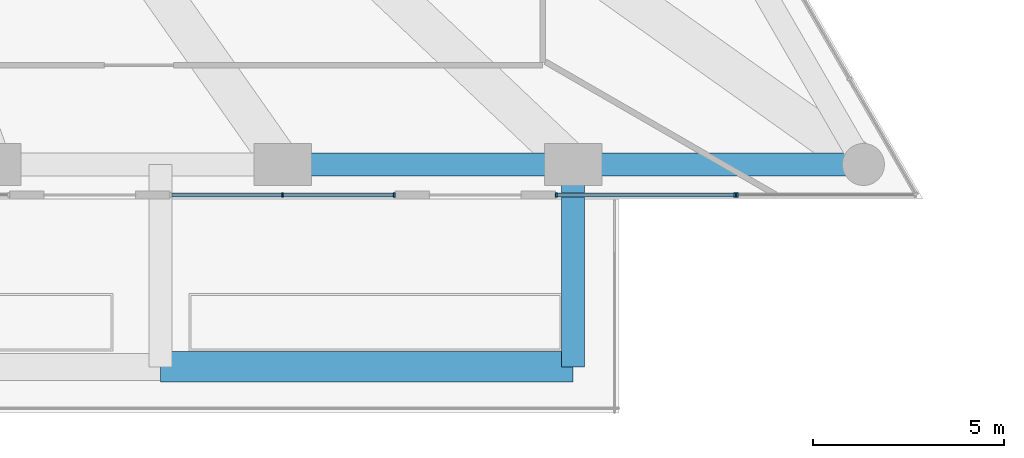
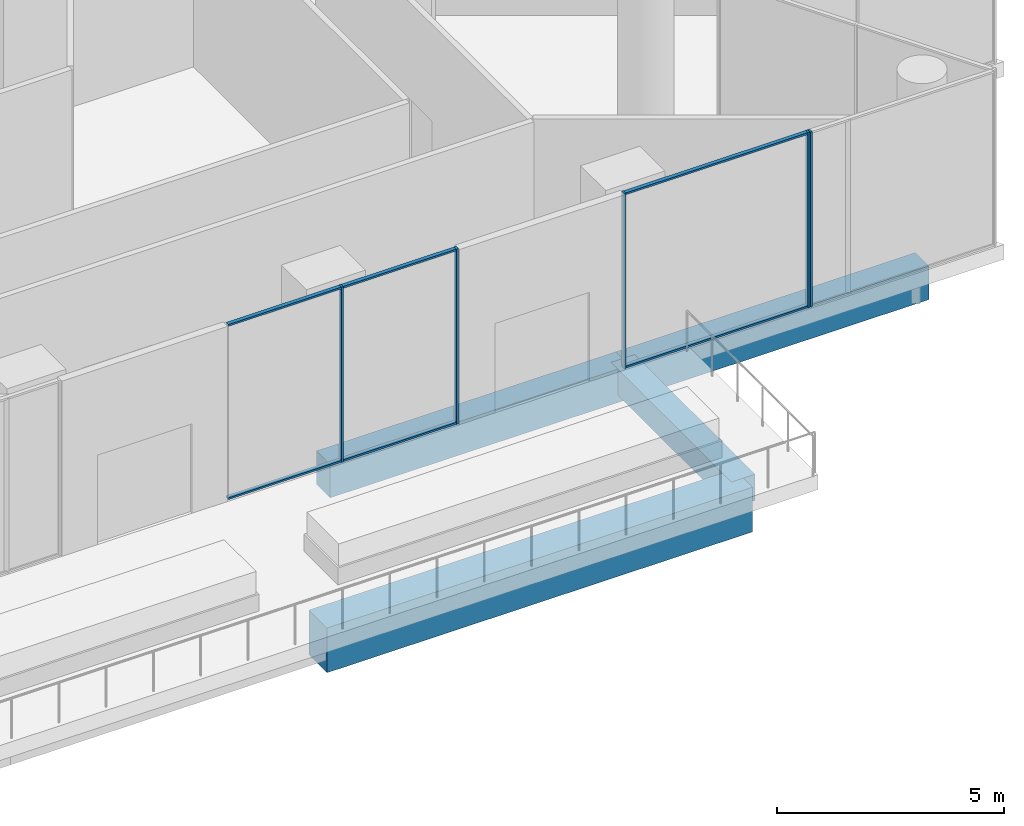
# One storey, part 9 of 28: 11 members, 4 beams, 3 elements without a shape of their own.
"""IFC4 building model written with IfcOpenShell, lengths in metres."""

from ifc_helpers import new_model, si_unit, direction, frame, origin, origin_2d, place, context, subcontext, project, spatial, rectangle, extrude, material, layer, layer_set, material_profile, profile_set, type_object, element, aggregate, save


model = new_model("IFC4")

# Units and contexts
model_context = context("Model", 3, precision=1e-05, world=origin(), true_north=direction((0.0, 1.0)))
body_context = subcontext(model_context, "Body", "Model", "MODEL_VIEW")
ifc_project = project(units=[si_unit("LENGTHUNIT", "METRE"), si_unit("AREAUNIT", "SQUARE_METRE"), si_unit("VOLUMEUNIT", "CUBIC_METRE"), si_unit("PLANEANGLEUNIT", "RADIAN"), si_unit("MASSUNIT", "GRAM", prefix="KILO")], contexts=[model_context])

# Site, building, storey
site_placement = place(None, origin())
site = spatial("IfcSite", under=ifc_project, at=site_placement, CompositionType="ELEMENT")
building_placement = place(site_placement, origin())
building = spatial("IfcBuilding", under=site, at=building_placement, Name="Triada Interchange Tower", CompositionType="ELEMENT")
storey_placement = place(building_placement, frame((0.0, 0.0, 30.300048828125)))
storey = spatial("IfcBuildingStorey", under=building, at=storey_placement, Name="L05", CompositionType="ELEMENT", Elevation=30.300048828125)

# Curtain wall, members
ifc_material_1 = material(Name="Aluminium framed glazing", Category="aluminium")
ifc_layer = layer(ifc_material_1, 0.199951171875)
ifc_layer_set = layer_set([ifc_layer], Name="Curtain wall Winter garden glazing")
curtain_wall_type = type_object("IfcCurtainWallType", Name="Curtain wall Winter garden glazing", PredefinedType="NOTDEFINED", material=ifc_layer_set)
curtain_wall_1_placement = place(storey_placement, origin())
curtain_wall_1 = element("IfcCurtainWall", 1, at=curtain_wall_1_placement, inside=storey, type_object=curtain_wall_type, Name="Winter garden glazing CW007 L05", PredefinedType="NOTDEFINED")
ifc_material_2 = material(Name="Aluminium", Category="aluminium")
ifc_material_profile_1 = material_profile(ifc_material_2, rectangle(XDim=0.1201171875, YDim=0.050048828125, at=origin_2d()), Name="Aluminium mullion")
ifc_profile_set_1 = profile_set([ifc_material_profile_1], Name="Aluminium")
member_type_1 = type_object("IfcMemberType", Name="Mullion Winter garden glazing 120x50", PredefinedType="MULLION", material=ifc_profile_set_1)
member_1_placement = place(storey_placement, frame((15.19140625, -22.39990234375, 0.0), z_axis=(0.0, 0.0, 1.0), x_axis=(0.0, 1.0, 0.0)))
member_1 = element("IfcMember", 2, at=member_1_placement, type_object=member_type_1, Name="CW007 mullion 2", PredefinedType="MULLION", context=body_context, shape_type="SweptSolid", body=[
    extrude(rectangle(XDim=0.1201171875, YDim=0.050048828125, at=origin_2d()), origin(), (0.0, 0.0, 1.0), 4.699951171875),
])
member_2_placement = place(storey_placement, frame((18.112060546875, -22.39990234375, 0.0), z_axis=(0.0, 0.0, 1.0), x_axis=(0.0, 1.0, 0.0)))
member_2 = element("IfcMember", 3, at=member_2_placement, type_object=member_type_1, Name="CW007 mullion 3", PredefinedType="MULLION", context=body_context, shape_type="SweptSolid", body=[
    extrude(rectangle(XDim=0.1201171875, YDim=0.050048828125, at=origin_2d()), origin(), (0.0, 0.0, 1.0), 4.699951171875),
])

curtain_wall_2_placement = place(storey_placement, origin())
curtain_wall_2 = element("IfcCurtainWall", 4, at=curtain_wall_2_placement, inside=storey, type_object=curtain_wall_type, Name="Winter garden glazing CW008 L05", PredefinedType="NOTDEFINED")
member_3_placement = place(storey_placement, frame((22.362060546875, -22.39990234375, 0.0), z_axis=(0.0, 0.0, 1.0), x_axis=(0.0, 1.0, 0.0)))
member_3 = element("IfcMember", 5, at=member_3_placement, type_object=member_type_1, Name="CW008 mullion 1", PredefinedType="MULLION", context=body_context, shape_type="SweptSolid", body=[
    extrude(rectangle(XDim=0.1201171875, YDim=0.050048828125, at=origin_2d()), origin(), (0.0, 0.0, 1.0), 4.699951171875),
])
member_4_placement = place(storey_placement, frame((27.030029296875, -22.39990234375, 0.0), z_axis=(0.0, 0.0, 1.0), x_axis=(0.0, 1.0, 0.0)))
member_4 = element("IfcMember", 6, at=member_4_placement, type_object=member_type_1, Name="CW008 mullion 2", PredefinedType="MULLION", context=body_context, shape_type="SweptSolid", body=[
    extrude(rectangle(XDim=0.1201171875, YDim=0.050048828125, at=origin_2d()), origin(), (0.0, 0.0, 1.0), 4.699951171875),
])

# Curtain wall, member
curtain_wall_3_placement = place(storey_placement, origin())
curtain_wall_3 = element("IfcCurtainWall", 7, at=curtain_wall_3_placement, inside=storey, type_object=curtain_wall_type, Name="Winter garden glazing CW009 L05", PredefinedType="NOTDEFINED")
member_5_placement = place(storey_placement, frame((27.090087890625, -22.39990234375, 0.0), z_axis=(0.0, 0.0, 1.0), x_axis=(0.0, 1.0, 0.0)))
member_5 = element("IfcMember", 8, at=member_5_placement, type_object=member_type_1, Name="CW009 mullion 1", PredefinedType="MULLION", context=body_context, shape_type="SweptSolid", body=[
    extrude(rectangle(XDim=0.1201171875, YDim=0.050048828125, at=origin_2d()), origin(), (0.0, 0.0, 1.0), 4.699951171875),
])
aggregate(curtain_wall_3, [member_5])

# Beams
ifc_material_3 = material(Name="Concrete C50/60", Category="concrete")
ifc_material_profile_2 = material_profile(ifc_material_3, rectangle(XDim=0.60009765625, YDim=0.89990234375, at=origin_2d()), Name="RC 600x900")
ifc_profile_set_2 = profile_set([ifc_material_profile_2], Name="Concrete C50/60")
beam_type_1 = type_object("IfcBeamType", Name="Spandrel beam P RC 600x900", PredefinedType="BEAM", material=ifc_profile_set_2)
beam_1_placement = place(storey_placement, frame((15.198974609375, -21.60009765625, -0.85009765625), z_axis=(1.0, 0.0, 0.0), x_axis=(0.0, 1.0, 0.0)))
element("IfcBeam", 9, at=beam_1_placement, inside=storey, type_object=beam_type_1, Name="Spandrel beam EP17 L05", PredefinedType="BEAM", context=body_context, shape_type="SweptSolid", body=[
    extrude(rectangle(XDim=0.60009765625, YDim=0.89990234375, at=origin_2d()), origin(), (0.0, 0.0, 1.0), 7.59912109375),
])
beam_2_placement = place(storey_placement, frame((22.798095703125, -21.60009765625, -0.85009765625), z_axis=(1.0, 0.0, 0.0), x_axis=(0.0, 1.0, 0.0)))
element("IfcBeam", 10, at=beam_2_placement, inside=storey, type_object=beam_type_1, Name="Spandrel beam EP18 L05", PredefinedType="BEAM", context=body_context, shape_type="SweptSolid", body=[
    extrude(rectangle(XDim=0.60009765625, YDim=0.89990234375, at=origin_2d()), origin(), (0.0, 0.0, 1.0), 7.598876953125),
])
ifc_material_4 = material(Name="Concrete C40/50", Category="concrete")
ifc_material_profile_3 = material_profile(ifc_material_4, rectangle(XDim=0.60009765625, YDim=0.699951171875, at=origin_2d()), Name="RC 600x700")
ifc_profile_set_3 = profile_set([ifc_material_profile_3], Name="Concrete C40/50")
beam_type_2 = type_object("IfcBeamType", Name="Terrace beam RC 600x700", PredefinedType="BEAM", material=ifc_profile_set_3)
beam_3_placement = place(storey_placement, frame((22.800048828125, -26.89990234375, -0.75), z_axis=(0.0, 1.0, 0.0), x_axis=(-1.0, 0.0, 0.0)))
element("IfcBeam", 11, at=beam_3_placement, inside=storey, type_object=beam_type_2, Name="Terrace beam TE06 L05", PredefinedType="BEAM", context=body_context, shape_type="SweptSolid", body=[
    extrude(rectangle(XDim=0.60009765625, YDim=0.699951171875, at=origin_2d()), origin(), (0.0, 0.0, 1.0), 5.2998046875),
])
ifc_material_profile_4 = material_profile(ifc_material_4, rectangle(XDim=0.800048828125, YDim=1.199951171875, at=origin_2d()), Name="RC 800x1200")
ifc_profile_set_4 = profile_set([ifc_material_profile_4], Name="Concrete C40/50")
beam_type_3 = type_object("IfcBeamType", Name="Terrace beam RC 800x1200", PredefinedType="BEAM", material=ifc_profile_set_4)
beam_4_placement = place(storey_placement, frame((12.0, -26.89990234375, -1.0), z_axis=(1.0, 0.0, 0.0), x_axis=(0.0, 1.0, 0.0)))
element("IfcBeam", 12, at=beam_4_placement, inside=storey, type_object=beam_type_3, Name="Terrace beam TE11 L05", PredefinedType="BEAM", context=body_context, shape_type="SweptSolid", body=[
    extrude(rectangle(XDim=0.800048828125, YDim=1.199951171875, at=origin_2d()), origin(), (0.0, 0.0, 1.0), 10.800048828125),
])

# Member
ifc_material_profile_5 = material_profile(ifc_material_2, rectangle(XDim=0.10009765625, YDim=0.050048828125, at=origin_2d()), Name="Aluminium transom")
ifc_profile_set_5 = profile_set([ifc_material_profile_5], Name="Aluminium")
member_type_2 = type_object("IfcMemberType", Name="Transom Winter garden glazing 100x50", PredefinedType="USERDEFINED", material=ifc_profile_set_5)
member_6_placement = place(storey_placement, frame((12.2958984375, -22.39990234375, 0.02490234375), z_axis=(1.0, 0.0, 0.0), x_axis=(0.0, 1.0, 0.0)))
member_6 = element("IfcMember", 13, at=member_6_placement, type_object=member_type_2, Name="CW007 transom 1.1", ObjectType="TRANSOM", PredefinedType="USERDEFINED", context=body_context, shape_type="SweptSolid", body=[
    extrude(rectangle(XDim=0.10009765625, YDim=0.050048828125, at=origin_2d()), origin(), (0.0, 0.0, 1.0), 2.87060546875),
])

member_7_placement = place(storey_placement, frame((12.2958984375, -22.39990234375, 4.675048828125), z_axis=(1.0, 0.0, 0.0), x_axis=(0.0, 1.0, 0.0)))
member_7 = element("IfcMember", 14, at=member_7_placement, type_object=member_type_2, Name="CW007 transom 1.2", ObjectType="TRANSOM", PredefinedType="USERDEFINED", context=body_context, shape_type="SweptSolid", body=[
    extrude(rectangle(XDim=0.10009765625, YDim=0.050048828125, at=origin_2d()), origin(), (0.0, 0.0, 1.0), 2.87060546875),
])

member_8_placement = place(storey_placement, frame((15.216552734375, -22.39990234375, 0.02490234375), z_axis=(1.0, 0.0, 0.0), x_axis=(0.0, 1.0, 0.0)))
member_8 = element("IfcMember", 15, at=member_8_placement, type_object=member_type_2, Name="CW007 transom 2.1", ObjectType="TRANSOM", PredefinedType="USERDEFINED", context=body_context, shape_type="SweptSolid", body=[
    extrude(rectangle(XDim=0.10009765625, YDim=0.050048828125, at=origin_2d()), origin(), (0.0, 0.0, 1.0), 2.870361328125),
])

member_9_placement = place(storey_placement, frame((15.216552734375, -22.39990234375, 4.675048828125), z_axis=(1.0, 0.0, 0.0), x_axis=(0.0, 1.0, 0.0)))
member_9 = element("IfcMember", 16, at=member_9_placement, type_object=member_type_2, Name="CW007 transom 2.2", ObjectType="TRANSOM", PredefinedType="USERDEFINED", context=body_context, shape_type="SweptSolid", body=[
    extrude(rectangle(XDim=0.10009765625, YDim=0.050048828125, at=origin_2d()), origin(), (0.0, 0.0, 1.0), 2.870361328125),
])

aggregate(curtain_wall_1, [member_1, member_2, member_6, member_7, member_8, member_9])

member_10_placement = place(storey_placement, frame((22.386962890625, -22.39990234375, 0.02490234375), z_axis=(1.0, 0.0, 0.0), x_axis=(0.0, 1.0, 0.0)))
member_10 = element("IfcMember", 17, at=member_10_placement, type_object=member_type_2, Name="CW008 transom 1.1", ObjectType="TRANSOM", PredefinedType="USERDEFINED", context=body_context, shape_type="SweptSolid", body=[
    extrude(rectangle(XDim=0.10009765625, YDim=0.050048828125, at=origin_2d()), origin(), (0.0, 0.0, 1.0), 4.617919921875),
])

member_11_placement = place(storey_placement, frame((22.386962890625, -22.39990234375, 4.675048828125), z_axis=(1.0, 0.0, 0.0), x_axis=(0.0, 1.0, 0.0)))
member_11 = element("IfcMember", 18, at=member_11_placement, type_object=member_type_2, Name="CW008 transom 1.2", ObjectType="TRANSOM", PredefinedType="USERDEFINED", context=body_context, shape_type="SweptSolid", body=[
    extrude(rectangle(XDim=0.10009765625, YDim=0.050048828125, at=origin_2d()), origin(), (0.0, 0.0, 1.0), 4.617919921875),
])

aggregate(curtain_wall_2, [member_3, member_4, member_10, member_11])

save(model, "model.ifc")
